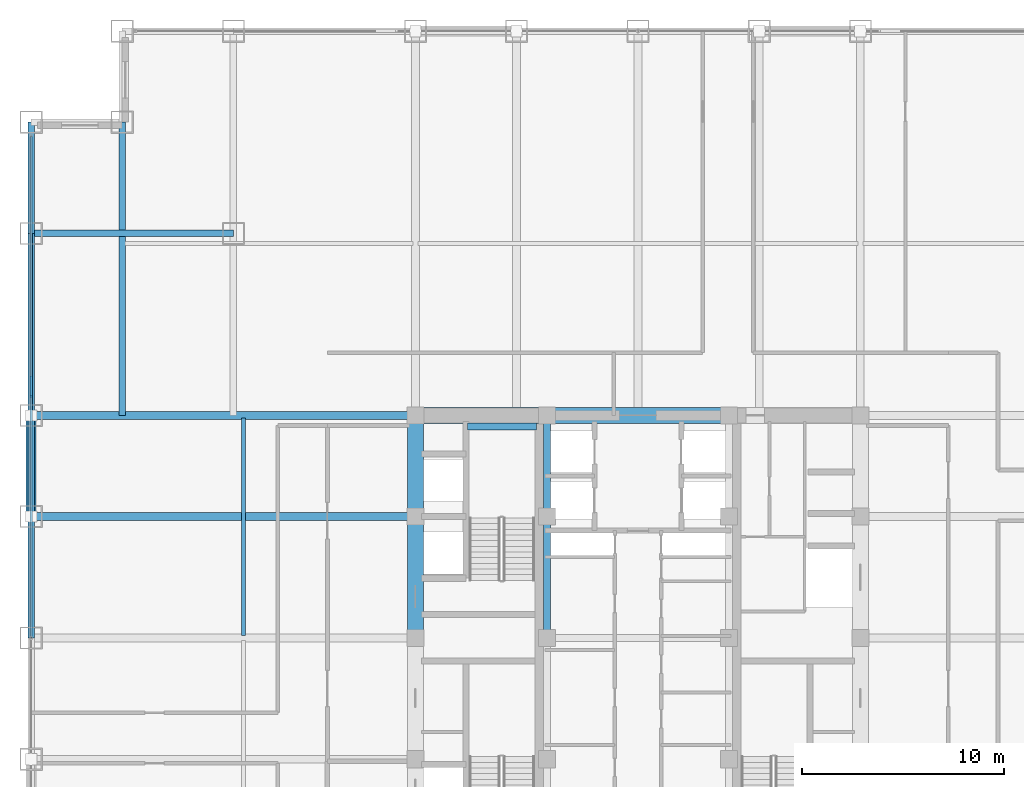
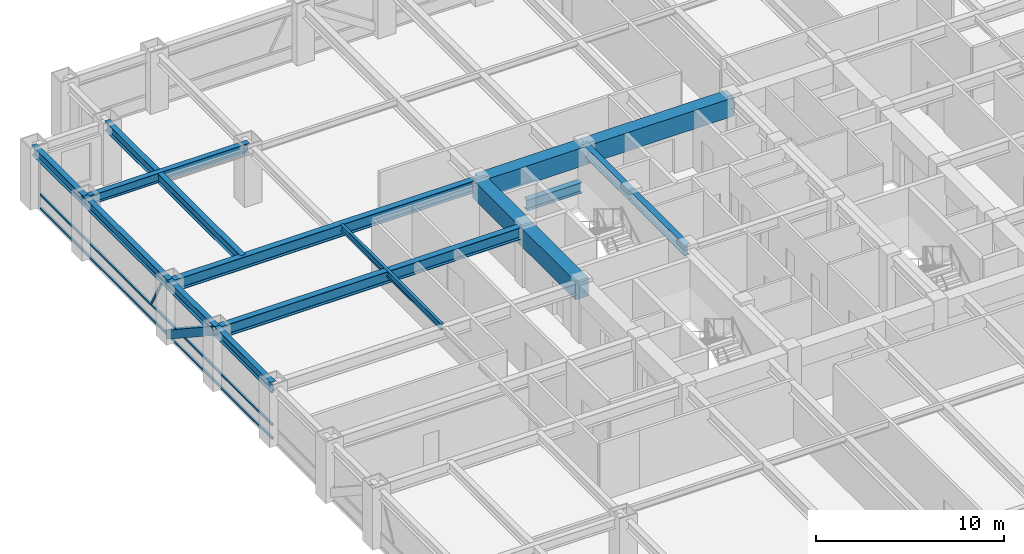
# One storey, part 11 of 24: 16 beams, 5 members, 1 element without a shape of its own.
"""IFC4 building model written with IfcOpenShell, lengths in metres."""

from ifc_helpers import new_model, si_unit, direction, frame, origin, origin_2d, place, context, subcontext, project, spatial, rectangle, hollow_rectangle, i_section, extrude, source, transform, mapped, material, material_profile, profile_set, type_object, element, aggregate, save


model = new_model("IFC4")

# Units and contexts
model_context = context("Model", 3, precision=1e-05, world=origin(), true_north=direction((0.0, 1.0)))
body_context = subcontext(model_context, "Body", "Model", "MODEL_VIEW")
ifc_project = project(units=[si_unit("LENGTHUNIT", "METRE"), si_unit("AREAUNIT", "SQUARE_METRE"), si_unit("VOLUMEUNIT", "CUBIC_METRE"), si_unit("PLANEANGLEUNIT", "RADIAN"), si_unit("MASSUNIT", "GRAM", prefix="KILO")], contexts=[model_context])

# Site, building, storey
site_placement = place(None, origin())
site = spatial("IfcSite", under=ifc_project, at=site_placement, CompositionType="ELEMENT")
building_placement = place(site_placement, origin())
building = spatial("IfcBuilding", under=site, at=building_placement, Name="Khorayat Bourse Tower", CompositionType="ELEMENT")
storey_placement = place(building_placement, frame((0.0, 0.0, 159.10009765625)))
storey = spatial("IfcBuildingStorey", under=building, at=storey_placement, Name="L36", CompositionType="ELEMENT", Elevation=159.10009765625)

# Beams
ifc_material_1 = material(Name="Concrete C72/90", Category="concrete")
ifc_material_profile_1 = material_profile(ifc_material_1, rectangle(XDim=0.800048828125, YDim=1.199951171875, at=origin_2d()), Name="RC 800x1200")
ifc_profile_set_1 = profile_set([ifc_material_profile_1], Name="Concrete C72/90")
beam_type_1 = type_object("IfcBeamType", Name="BM-COUP-1200", PredefinedType="BEAM", material=ifc_profile_set_1)
shared_shape_1 = source(origin(), body_context, "Body", "SweptSolid", [
    extrude(rectangle(XDim=0.800048828125, YDim=1.199951171875, at=origin_2d()), origin(), (0.0, 0.0, 1.0), 5.0),
])
beam_1_placement = place(storey_placement, frame((-11.0, 6.0, 3.179931640625), z_axis=(0.0, 1.0, 0.0), x_axis=(-1.0, 0.0, 0.0)))
element("IfcBeam", 1, at=beam_1_placement, inside=storey, type_object=beam_type_1, Name="L36 BM-COUP-1200 BM-L36-CRX-04", PredefinedType="BEAM", context=body_context, shape_type="MappedRepresentation", body=[
    mapped(shared_shape_1, transform((0.0, 0.0, 0.0), scale=1.0)),
])
shared_shape_2 = source(origin(), body_context, "Body", "SweptSolid", [
    extrude(rectangle(XDim=0.800048828125, YDim=1.199951171875, at=origin_2d()), origin(), (0.0, 0.0, 1.0), 6.0),
])
beam_2_placement = place(storey_placement, frame((-11.0, 0.0, 3.179931640625), z_axis=(0.0, 1.0, 0.0), x_axis=(-1.0, 0.0, 0.0)))
element("IfcBeam", 2, at=beam_2_placement, inside=storey, type_object=beam_type_1, Name="L36 BM-COUP-1200 BM-L36-CRX-03", PredefinedType="BEAM", context=body_context, shape_type="MappedRepresentation", body=[
    mapped(shared_shape_2, transform((0.0, 0.0, 0.0), scale=1.0)),
])
ifc_material_2 = material(Name="Steel ASTM A992 Grade 50", Category="steel")
ifc_material_profile_2 = material_profile(ifc_material_2, i_section(OverallWidth=0.35498046875, OverallDepth=0.695068359375, WebThickness=0.015380859375, FlangeThickness=0.02490234375, FilletRadius=0.01806640625, at=origin_2d()), Name="W690X217")
ifc_profile_set_2 = profile_set([ifc_material_profile_2], Name="Steel ASTM A992 Grade 50")
beam_type_2 = type_object("IfcBeamType", Name="BM-GIRD-690", PredefinedType="BEAM", material=ifc_profile_set_2)
shared_shape_3 = source(origin(), body_context, "Body", "SweptSolid", [
    extrude(i_section(OverallWidth=0.35498046875, OverallDepth=0.695068359375, WebThickness=0.015380859375, FlangeThickness=0.02490234375, FilletRadius=0.01806640625, at=origin_2d()), origin(), (0.0, 0.0, 1.0), 5.0),
])
beam_3_placement = place(storey_placement, frame((-4.5, 6.0, 3.432373046875), z_axis=(0.0, 1.0, 0.0), x_axis=(-1.0, 0.0, 0.0)))
element("IfcBeam", 3, at=beam_3_placement, inside=storey, type_object=beam_type_2, Name="L36 BM-GIRD-690 BM-L36-CRX-08", PredefinedType="BEAM", context=body_context, shape_type="MappedRepresentation", body=[
    mapped(shared_shape_3, transform((0.0, 0.0, 0.0), scale=1.0)),
])
shared_shape_4 = source(origin(), body_context, "Body", "SweptSolid", [
    extrude(i_section(OverallWidth=0.35498046875, OverallDepth=0.695068359375, WebThickness=0.015380859375, FlangeThickness=0.02490234375, FilletRadius=0.01806640625, at=origin_2d()), origin(), (0.0, 0.0, 1.0), 6.0),
])
beam_4_placement = place(storey_placement, frame((-4.5, 0.0, 3.432373046875), z_axis=(0.0, 1.0, 0.0), x_axis=(-1.0, 0.0, 0.0)))
element("IfcBeam", 4, at=beam_4_placement, inside=storey, type_object=beam_type_2, Name="L36 BM-GIRD-690 BM-L36-CRX-07", PredefinedType="BEAM", context=body_context, shape_type="MappedRepresentation", body=[
    mapped(shared_shape_4, transform((0.0, 0.0, 0.0), scale=1.0)),
])
shared_shape_5 = source(origin(), body_context, "Body", "SweptSolid", [
    extrude(rectangle(XDim=0.800048828125, YDim=1.199951171875, at=origin_2d()), origin(), (0.0, 0.0, 1.0), 6.5),
])
beam_5_placement = place(storey_placement, frame((-11.0, 11.0, 3.179931640625), z_axis=(1.0, 0.0, 0.0), x_axis=(0.0, 1.0, 0.0)))
element("IfcBeam", 5, at=beam_5_placement, inside=storey, type_object=beam_type_1, Name="L36 BM-COUP-1200 BM-L36-CRY-20", PredefinedType="BEAM", context=body_context, shape_type="MappedRepresentation", body=[
    mapped(shared_shape_5, transform((0.0, 0.0, 0.0), scale=1.0)),
])
shared_shape_6 = source(origin(), body_context, "Body", "SweptSolid", [
    extrude(rectangle(XDim=0.800048828125, YDim=1.199951171875, at=origin_2d()), origin(), (0.0, 0.0, 1.0), 9.0),
])
beam_6_placement = place(storey_placement, frame((-4.5, 11.0, 3.179931640625), z_axis=(1.0, 0.0, 0.0), x_axis=(0.0, 1.0, 0.0)))
element("IfcBeam", 6, at=beam_6_placement, inside=storey, type_object=beam_type_1, Name="L36 BM-COUP-1200 BM-L36-CRY-21", PredefinedType="BEAM", context=body_context, shape_type="MappedRepresentation", body=[
    mapped(shared_shape_6, transform((0.0, 0.0, 0.0), scale=1.0)),
])
shared_shape_7 = source(origin(), body_context, "Body", "SweptSolid", [
    extrude(i_section(OverallWidth=0.35498046875, OverallDepth=0.695068359375, WebThickness=0.015380859375, FlangeThickness=0.02490234375, FilletRadius=0.01806640625, at=origin_2d()), origin(), (0.0, 0.0, 1.0), 3.39990234375),
])
beam_7_placement = place(storey_placement, frame((-8.419921875, 10.449951171875, 1.452392578125), z_axis=(1.0, 0.0, 0.0), x_axis=(0.0, 1.0, 0.0)))
element("IfcBeam", 7, at=beam_7_placement, inside=storey, type_object=beam_type_2, Name="L36 BM-GIRD-690 BM-L36-ST2L", PredefinedType="BEAM", context=body_context, shape_type="MappedRepresentation", body=[
    mapped(shared_shape_7, transform((0.0, 0.0, 0.0), scale=1.0)),
])
ifc_material_profile_3 = material_profile(ifc_material_2, i_section(OverallWidth=0.381103515625, OverallDepth=0.77294921875, WebThickness=0.0166015625, FlangeThickness=0.027587890625, FilletRadius=0.01806640625, at=origin_2d()), Name="W760X257")
ifc_profile_set_3 = profile_set([ifc_material_profile_3], Name="Steel ASTM A992 Grade 50")
beam_type_3 = type_object("IfcBeamType", Name="BM-GIRD-760", PredefinedType="BEAM", material=ifc_profile_set_3)
shared_shape_8 = source(origin(), body_context, "Body", "SweptSolid", [
    extrude(i_section(OverallWidth=0.381103515625, OverallDepth=0.77294921875, WebThickness=0.0166015625, FlangeThickness=0.027587890625, FilletRadius=0.01806640625, at=origin_2d()), origin(), (0.0, 0.0, 1.0), 19.0),
])
for number, where, z_axis, x_axis, name in (
    (8, (-30.0, 6.0, 3.393310546875), (1.0, 0.0, 0.0), (0.0, 1.0, 0.0), "L36 BM-GIRD-760 BM-L36-RADX-081"),
    (9, (-30.0, 11.0, 3.393310546875), (1.0, 0.0, 0.0), (0.0, 1.0, 0.0), "L36 BM-GIRD-760 BM-L36-RADX-083"),
):
    element("IfcBeam", number, at=place(storey_placement, frame(where, z_axis=z_axis, x_axis=x_axis)), inside=storey, type_object=beam_type_3, Name=name, PredefinedType="BEAM", context=body_context, shape_type="MappedRepresentation", body=[
        mapped(shared_shape_8, transform((0.0, 0.0, 0.0), scale=1.0)),
    ])
ifc_material_profile_4 = material_profile(ifc_material_2, i_section(OverallWidth=0.324951171875, OverallDepth=0.615966796875, WebThickness=0.013916015625, FlangeThickness=0.021484375, FilletRadius=0.01611328125, at=origin_2d()), Name="W610X174")
ifc_profile_set_4 = profile_set([ifc_material_profile_4], Name="Steel ASTM A992 Grade 50")
beam_type_4 = type_object("IfcBeamType", Name="BM-GIRD-610", PredefinedType="BEAM", material=ifc_profile_set_4)
shared_shape_9 = source(origin(), body_context, "Body", "SweptSolid", [
    extrude(i_section(OverallWidth=0.324951171875, OverallDepth=0.615966796875, WebThickness=0.013916015625, FlangeThickness=0.021484375, FilletRadius=0.01611328125, at=origin_2d()), origin(), (0.0, 0.0, 1.0), 14.5),
])
beam_8_placement = place(storey_placement, frame((-25.5, 11.0, 3.471923828125), z_axis=(0.0, 1.0, 0.0), x_axis=(-1.0, 0.0, 0.0)))
element("IfcBeam", 10, at=beam_8_placement, inside=storey, type_object=beam_type_4, Name="L36 BM-GIRD-610 BM-L36-CNRY-089", PredefinedType="BEAM", context=body_context, shape_type="MappedRepresentation", body=[
    mapped(shared_shape_9, transform((0.0, 0.0, 0.0), scale=1.0)),
])
shared_shape_10 = source(origin(), body_context, "Body", "SweptSolid", [
    extrude(i_section(OverallWidth=0.324951171875, OverallDepth=0.615966796875, WebThickness=0.013916015625, FlangeThickness=0.021484375, FilletRadius=0.01611328125, at=origin_2d()), origin(), (0.0, 0.0, 1.0), 10.0),
])
beam_9_placement = place(storey_placement, frame((-30.0, 20.0, 3.471923828125), z_axis=(1.0, 0.0, 0.0), x_axis=(0.0, 1.0, 0.0)))
element("IfcBeam", 11, at=beam_9_placement, inside=storey, type_object=beam_type_4, Name="L36 BM-GIRD-610 BM-L36-CNRX-095", PredefinedType="BEAM", context=body_context, shape_type="MappedRepresentation", body=[
    mapped(shared_shape_10, transform((0.0, 0.0, 0.0), scale=1.0)),
])
ifc_material_profile_5 = material_profile(ifc_material_2, i_section(OverallWidth=0.180908203125, OverallDepth=0.4169921875, WebThickness=0.010986328125, FlangeThickness=0.018310546875, FilletRadius=0.011962890625, at=origin_2d()), Name="W410X85")
ifc_profile_set_5 = profile_set([ifc_material_profile_5], Name="Steel ASTM A992 Grade 50")
beam_type_5 = type_object("IfcBeamType", Name="BM-JOIST-410", PredefinedType="JOIST", material=ifc_profile_set_5)
shared_shape_11 = source(origin(), body_context, "Body", "SweptSolid", [
    extrude(i_section(OverallWidth=0.180908203125, OverallDepth=0.4169921875, WebThickness=0.010986328125, FlangeThickness=0.018310546875, FilletRadius=0.011962890625, at=origin_2d()), origin(), (0.0, 0.0, 1.0), 10.740234375),
])
beam_10_placement = place(storey_placement, frame((-19.5, 0.1298828125, 3.5712890625), z_axis=(0.0, 1.0, 0.0), x_axis=(-1.0, 0.0, 0.0)))
element("IfcBeam", 12, at=beam_10_placement, inside=storey, type_object=beam_type_5, Name="L36 BM-JOIST-410 BM-L36-JSTY-103", PredefinedType="JOIST", context=body_context, shape_type="MappedRepresentation", body=[
    mapped(shared_shape_11, transform((0.0, 0.0, 0.0), scale=1.0)),
])
ifc_material_profile_6 = material_profile(ifc_material_2, i_section(OverallWidth=0.324951171875, OverallDepth=0.615966796875, WebThickness=0.013916015625, FlangeThickness=0.021484375, FilletRadius=0.01611328125, at=origin_2d()), Name="W610X174")
ifc_profile_set_6 = profile_set([ifc_material_profile_6], Name="Steel ASTM A992 Grade 50")
beam_type_6 = type_object("IfcBeamType", Name="BM-SPAN-610", PredefinedType="SPANDREL", material=ifc_profile_set_6)
shared_shape_12 = source(origin(), body_context, "Body", "SweptSolid", [
    extrude(i_section(OverallWidth=0.324951171875, OverallDepth=0.615966796875, WebThickness=0.013916015625, FlangeThickness=0.021484375, FilletRadius=0.01611328125, at=origin_2d()), origin(), (0.0, 0.0, 1.0), 5.5),
])
beam_11_placement = place(storey_placement, frame((-30.0, 20.0, 3.471923828125), z_axis=(0.0, 1.0, 0.0), x_axis=(-1.0, 0.0, 0.0)))
element("IfcBeam", 13, at=beam_11_placement, inside=storey, type_object=beam_type_6, Name="L36 BM-SPAN-610 BM-L36-SPN-054", PredefinedType="SPANDREL", context=body_context, shape_type="MappedRepresentation", body=[
    mapped(shared_shape_12, transform((0.0, 0.0, 0.0), scale=1.0)),
])
shared_shape_13 = source(origin(), body_context, "Body", "SweptSolid", [
    extrude(i_section(OverallWidth=0.324951171875, OverallDepth=0.615966796875, WebThickness=0.013916015625, FlangeThickness=0.021484375, FilletRadius=0.01611328125, at=origin_2d()), origin(), (0.0, 0.0, 1.0), 9.0),
])
beam_12_placement = place(storey_placement, frame((-30.0, 11.0, 3.471923828125), z_axis=(0.0, 1.0, 0.0), x_axis=(-1.0, 0.0, 0.0)))
element("IfcBeam", 14, at=beam_12_placement, inside=storey, type_object=beam_type_6, Name="L36 BM-SPAN-610 BM-L36-SPN-055", PredefinedType="SPANDREL", context=body_context, shape_type="MappedRepresentation", body=[
    mapped(shared_shape_13, transform((0.0, 0.0, 0.0), scale=1.0)),
])
shared_shape_14 = source(origin(), body_context, "Body", "SweptSolid", [
    extrude(i_section(OverallWidth=0.324951171875, OverallDepth=0.615966796875, WebThickness=0.013916015625, FlangeThickness=0.021484375, FilletRadius=0.01611328125, at=origin_2d()), origin(), (0.0, 0.0, 1.0), 5.0),
])
beam_13_placement = place(storey_placement, frame((-30.0, 6.0, 3.471923828125), z_axis=(0.0, 1.0, 0.0), x_axis=(-1.0, 0.0, 0.0)))
element("IfcBeam", 15, at=beam_13_placement, inside=storey, type_object=beam_type_6, Name="L36 BM-SPAN-610 BM-L36-SPN-056", PredefinedType="SPANDREL", context=body_context, shape_type="MappedRepresentation", body=[
    mapped(shared_shape_14, transform((0.0, 0.0, 0.0), scale=1.0)),
])
shared_shape_15 = source(origin(), body_context, "Body", "SweptSolid", [
    extrude(i_section(OverallWidth=0.324951171875, OverallDepth=0.615966796875, WebThickness=0.013916015625, FlangeThickness=0.021484375, FilletRadius=0.01611328125, at=origin_2d()), origin(), (0.0, 0.0, 1.0), 6.0),
])
beam_14_placement = place(storey_placement, frame((-30.0, 0.0, 3.471923828125), z_axis=(0.0, 1.0, 0.0), x_axis=(-1.0, 0.0, 0.0)))
element("IfcBeam", 16, at=beam_14_placement, inside=storey, type_object=beam_type_6, Name="L36 BM-SPAN-610 BM-L36-SPN-057", PredefinedType="SPANDREL", context=body_context, shape_type="MappedRepresentation", body=[
    mapped(shared_shape_15, transform((0.0, 0.0, 0.0), scale=1.0)),
])

# Member
ifc_material_3 = material(Name="Steel EN 10025-4 S460M", Category="steel")
ifc_material_profile_7 = material_profile(ifc_material_3, hollow_rectangle(XDim=0.5, YDim=0.5, WallThickness=0.028076171875, at=origin_2d()), Name="HSS 500x500x28")
ifc_profile_set_7 = profile_set([ifc_material_profile_7], Name="Steel EN 10025-4 S460M")
member_type_1 = type_object("IfcMemberType", Name="MBR-TUBE-500", PredefinedType="BRACE", material=ifc_profile_set_7)
shared_shape_16 = source(origin(), body_context, "Body", "SweptSolid", [
    extrude(hollow_rectangle(XDim=0.5, YDim=0.5, WallThickness=0.028076171875, at=origin_2d()), origin(), (0.0, 0.0, 1.0), 5.979736328125),
])
member_1_placement = place(storey_placement, frame((-30.0, 6.0, 3.52978515625), z_axis=(0.0, 0.836160261256, -0.548485202623), x_axis=(-1.0, 0.0, 0.0)))
element("IfcMember", 17, at=member_1_placement, inside=storey, type_object=member_type_1, Name="L36 Perimeter Tube Brace 06", PredefinedType="BRACE", context=body_context, shape_type="MappedRepresentation", body=[
    mapped(shared_shape_16, transform((0.0, 0.0, 0.0), scale=1.0)),
])

# Curtain wall, members
ifc_material_4 = material(Name="Aluminium EN AW-6063 T6", Category="aluminium")
curtain_wall_type = type_object("IfcCurtainWallType", Name="CW-SYS-03", PredefinedType="NOTDEFINED", material=ifc_material_4)
curtain_wall_placement = place(storey_placement, origin())
curtain_wall = element("IfcCurtainWall", 18, at=curtain_wall_placement, inside=storey, type_object=curtain_wall_type, Name="L36 Curtain Wall CW-L36-W1", PredefinedType="NOTDEFINED")
ifc_material_profile_8 = material_profile(ifc_material_4, hollow_rectangle(XDim=0.1201171875, YDim=0.1201171875, WallThickness=0.0048828125, at=origin_2d()), Name="ALU 120x120x5")
ifc_profile_set_8 = profile_set([ifc_material_profile_8], Name="Aluminium EN AW-6063 T6")
member_type_2 = type_object("IfcMemberType", Name="CWM-DIAG-120", PredefinedType="MULLION", material=ifc_profile_set_8)
shared_shape_17 = source(origin(), body_context, "Body", "SweptSolid", [
    extrude(hollow_rectangle(XDim=0.1201171875, YDim=0.1201171875, WallThickness=0.0048828125, at=origin_2d()), origin(), (0.0, 0.0, 1.0), 2.079345703125),
])
member_2_placement = place(storey_placement, frame((-30.0, 12.904296875, 1.08984375), z_axis=(0.0, -0.465760949701, 0.884910581773), x_axis=(1.0, 0.0, 0.0)))
member_2 = element("IfcMember", 19, at=member_2_placement, type_object=member_type_2, Name="CW-L36-W1 Faceted Diagonal Mullion 2", PredefinedType="MULLION", context=body_context, shape_type="MappedRepresentation", body=[
    mapped(shared_shape_17, transform((0.0, 0.0, 0.0), scale=1.0)),
])
ifc_material_profile_9 = material_profile(ifc_material_4, hollow_rectangle(XDim=0.1201171875, YDim=0.1201171875, WallThickness=0.0048828125, at=origin_2d()), Name="ALU 120x120x5")
ifc_profile_set_9 = profile_set([ifc_material_profile_9], Name="Aluminium EN AW-6063 T6")
member_type_3 = type_object("IfcMemberType", Name="CWT-HORZ-120", PredefinedType="USERDEFINED", material=ifc_profile_set_9)
shared_shape_18 = source(origin(), body_context, "Body", "SweptSolid", [
    extrude(hollow_rectangle(XDim=0.1201171875, YDim=0.1201171875, WallThickness=0.0048828125, at=origin_2d()), origin(), (0.0, 0.0, 1.0), 24.719970703125),
])
member_3_placement = place(storey_placement, frame((-30.0, 0.06005859375, 0.059814453125), z_axis=(0.0, 1.0, 0.0), x_axis=(-1.0, 0.0, 0.0)))
member_3 = element("IfcMember", 20, at=member_3_placement, type_object=member_type_3, Name="CW-L36-W1 Horizontal Transom 2-1", ObjectType="TRANSOM", PredefinedType="USERDEFINED", context=body_context, shape_type="MappedRepresentation", body=[
    mapped(shared_shape_18, transform((0.0, 0.0, 0.0), scale=1.0)),
])
member_4_placement = place(storey_placement, frame((-30.0, 0.06005859375, 0.949951171875), z_axis=(0.0, 1.0, 0.0), x_axis=(-1.0, 0.0, 0.0)))
member_4 = element("IfcMember", 21, at=member_4_placement, type_object=member_type_3, Name="CW-L36-W1 Horizontal Transom 2-2", ObjectType="TRANSOM", PredefinedType="USERDEFINED", context=body_context, shape_type="MappedRepresentation", body=[
    mapped(shared_shape_18, transform((0.0, 0.0, 0.0), scale=1.0)),
])
member_5_placement = place(storey_placement, frame((-30.0, 0.06005859375, 3.06982421875), z_axis=(0.0, 1.0, 0.0), x_axis=(-1.0, 0.0, 0.0)))
member_5 = element("IfcMember", 22, at=member_5_placement, type_object=member_type_3, Name="CW-L36-W1 Horizontal Transom 2-3", ObjectType="TRANSOM", PredefinedType="USERDEFINED", context=body_context, shape_type="MappedRepresentation", body=[
    mapped(shared_shape_18, transform((0.0, 0.0, 0.0), scale=1.0)),
])
aggregate(curtain_wall, [member_3, member_4, member_5, member_2])

save(model, "model.ifc")
